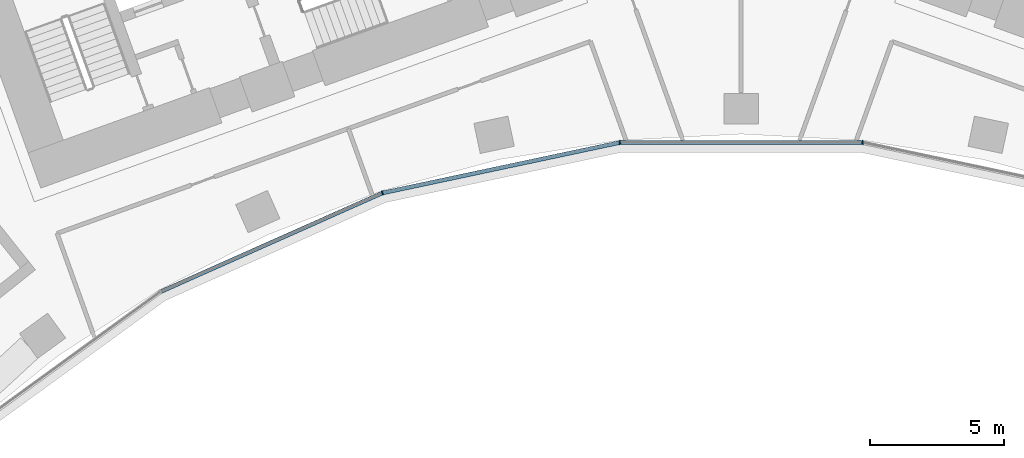
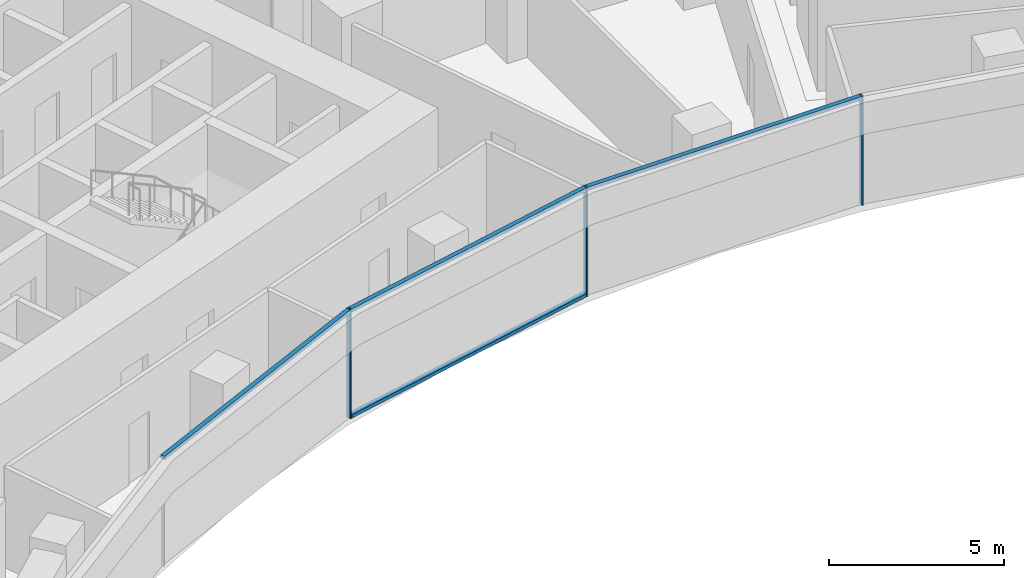
# One storey, part 4 of 22: 7 members, 1 element without a shape of its own.
"""IFC4 building model written with IfcOpenShell, lengths in metres."""

import ifcopenshell
import ifcopenshell.guid

model = None  # the IFC model being written
_history = None  # IfcOwnerHistory: only IFC2X3 demands one
_inside = {}  # id of a spatial element -> (the spatial element, [elements in it])
_under = {}  # id of a project, library or spatial element -> (it, [spatial elements below it])
_declared = {}  # id of a project -> (the project, [libraries it declares])
_typed = {}  # id of a type object -> (the type object, [elements of that type])
_made_of = {}  # id of a material, layer set ... -> (it, [elements and type objects made of it])


def new_model(schema):
    """Start an empty IFC model of exactly this schema.

    Asked for "IFC4X3", IfcOpenShell would pick the latest addendum, in which some entities
    have other attributes; the version numbers below select the first issue.
    IFC2X3 requires an IfcOwnerHistory on every rooted entity: one is made here for all.
    """
    global model, _history
    if schema == "IFC4X3":
        model = ifcopenshell.file(schema_version=(4, 3, 0, 0))
    else:
        model = ifcopenshell.file(schema=schema)
    _inside.clear()
    _under.clear()
    _declared.clear()
    _typed.clear()
    _made_of.clear()
    _history = None
    if model.schema == "IFC2X3":
        org = make("IfcOrganization", Name="unknown")
        user = make(
            "IfcPersonAndOrganization",
            ThePerson=make("IfcPerson", FamilyName="unknown"),
            TheOrganization=org,
        )
        app = make(
            "IfcApplication",
            ApplicationDeveloper=org,
            Version="unknown",
            ApplicationFullName="unknown",
            ApplicationIdentifier="unknown",
        )
        _history = make(
            "IfcOwnerHistory",
            OwningUser=user,
            OwningApplication=app,
            ChangeAction="ADDED",
            CreationDate=0,
        )
    return model


def make(cls, **values):
    """One entity of the class cls with the attributes given. An attribute that is None is left unset."""
    return model.create_entity(
        cls, **{name: value for name, value in values.items() if value is not None}
    )


def rooted(cls, **values):
    """An entity with a GlobalId (a new one), such as an element, a storey or a relation."""
    return make(cls, GlobalId=ifcopenshell.guid.new(), OwnerHistory=_history, **values)


def si_unit(unit_type, name, prefix=None):
    """IfcSIUnit, for example si_unit("LENGTHUNIT", "METRE", prefix="MILLI")."""
    return make("IfcSIUnit", UnitType=unit_type, Prefix=prefix, Name=name)


def assignment(units):
    """IfcUnitAssignment: the units of a project."""
    return None if units is None else make("IfcUnitAssignment", Units=units)


def point(xyz):
    """IfcCartesianPoint."""
    return None if xyz is None else make("IfcCartesianPoint", Coordinates=xyz)


def direction(xyz):
    """IfcDirection."""
    return None if xyz is None else make("IfcDirection", DirectionRatios=xyz)


def frame(location, z_axis=None, x_axis=None):
    """IfcAxis2Placement3D, a coordinate frame: its origin and axes. An axis left out is left unset."""
    return make(
        "IfcAxis2Placement3D",
        Location=point(location),
        Axis=direction(z_axis),
        RefDirection=direction(x_axis),
    )


def frame_2d(location, x_axis=None):
    """IfcAxis2Placement2D, a coordinate frame in the plane: its origin and x axis."""
    return make(
        "IfcAxis2Placement2D", Location=point(location), RefDirection=direction(x_axis)
    )


def origin():
    """The frame at (0, 0, 0) with its axes left unset."""
    return frame((0.0, 0.0, 0.0))


def origin_2d():
    """The frame at (0, 0) in the plane with its x axis left unset."""
    return frame_2d((0.0, 0.0))


def place(relative_to, where):
    """IfcLocalPlacement: puts the frame where relative to a parent placement (None: the world)."""
    return make(
        "IfcLocalPlacement", PlacementRelTo=relative_to, RelativePlacement=where
    )


def context(
    kind, dimensions, precision=None, world=None, true_north=None, identifier=None
):
    """IfcGeometricRepresentationContext, for example the 3D "Model" context."""
    return make(
        "IfcGeometricRepresentationContext",
        ContextIdentifier=identifier,
        ContextType=kind,
        CoordinateSpaceDimension=dimensions,
        Precision=precision,
        WorldCoordinateSystem=world,
        TrueNorth=true_north,
    )


def subcontext(parent, identifier, kind, view, scale=None):
    """IfcGeometricRepresentationSubContext, for example "Body" below "Model"."""
    return make(
        "IfcGeometricRepresentationSubContext",
        ContextIdentifier=identifier,
        ContextType=kind,
        ParentContext=parent,
        TargetScale=scale,
        TargetView=view,
    )


def project(units=None, contexts=None):
    """IfcProject with its units and contexts."""
    return rooted(
        "IfcProject",
        Name="project",
        RepresentationContexts=contexts,
        UnitsInContext=assignment(units),
    )


def spatial(cls, under=None, at=None, **own):
    """A site, building, storey or space (cls), placed at a placement, below another one or the project."""
    s = rooted(cls, ObjectPlacement=at, **own)
    if under is not None:
        _under.setdefault(under.id(), (under, []))[1].append(s)
    return s


def profile(cls, at=None, kind="AREA", **sizes):
    """A parametric profile (cls). Its sizes go by their IFC names, for example OverallWidth=200.0."""
    return make(cls, ProfileType=kind, Position=at, **sizes)


def rectangle(**sizes):
    """IfcRectangleProfileDef."""
    return profile("IfcRectangleProfileDef", **sizes)


def extrude(swept, where, along, depth):
    """IfcExtrudedAreaSolid: the profile swept, set in the frame where, extruded along a direction by depth."""
    return make(
        "IfcExtrudedAreaSolid",
        SweptArea=swept,
        Position=where,
        ExtrudedDirection=direction(along),
        Depth=depth,
    )


def shape(context_of_items, identifier, shape_type, items):
    """IfcShapeRepresentation: the items that make up one representation, for example the "Body"."""
    return make(
        "IfcShapeRepresentation",
        ContextOfItems=context_of_items,
        RepresentationIdentifier=identifier,
        RepresentationType=shape_type,
        Items=items,
    )


def material(Name=None, Category=None):
    """IfcMaterial."""
    return make("IfcMaterial", Name=Name, Category=Category)


def layer(
    of_material, thickness, ventilated=None, Name=None, Category=None, Priority=None
):
    """IfcMaterialLayer: one layer of a wall or slab, of a material (None: an air gap)."""
    return make(
        "IfcMaterialLayer",
        Material=of_material,
        LayerThickness=thickness,
        IsVentilated=ventilated,
        Name=Name,
        Category=Category,
        Priority=Priority,
    )


def layer_set(layers, Name=None):
    """IfcMaterialLayerSet."""
    return make("IfcMaterialLayerSet", MaterialLayers=layers, LayerSetName=Name)


def material_profile(
    of_material, cross_section, Name=None, Category=None, Priority=None
):
    """IfcMaterialProfile: a cross section and its material."""
    return make(
        "IfcMaterialProfile",
        Name=Name,
        Material=of_material,
        Profile=cross_section,
        Priority=Priority,
        Category=Category,
    )


def profile_set(profiles, Name=None, composite=None):
    """IfcMaterialProfileSet."""
    return make(
        "IfcMaterialProfileSet",
        Name=Name,
        MaterialProfiles=profiles,
        CompositeProfile=composite,
    )


def made_of(thing, what):
    """Note that an element or type object is made of a material, layer set ...; save() writes the relation."""
    if what is not None:
        _made_of.setdefault(what.id(), (what, []))[1].append(thing)
    return thing


def type_object(cls, material=None, **own):
    """A type object (cls), such as IfcWallType, which elements share."""
    return made_of(rooted(cls, **own), material)


def element(
    cls,
    number,
    at=None,
    inside=None,
    cuts=None,
    type_object=None,
    material=None,
    context=None,
    identifier="Body",
    shape_type=None,
    held_by="IfcProductDefinitionShape",
    body=None,
    shapes=None,
    **own,
):
    """One element of the class cls, such as IfcWall. Its Tag is "e" and its number.

    at: its placement. inside: the storey or other place that contains it. cuts: it is an
    opening in that element (IfcRelVoidsElement). A single representation is given by context,
    identifier, shape_type and body (its items); several are given by shapes. held_by: the class
    of the entity that holds the representations. save() writes the other relations.
    """
    e = rooted(cls, Tag="e%d" % number, ObjectPlacement=at, **own)
    if body is not None:
        shapes = [shape(context, identifier, shape_type, body)]
    if shapes is not None:
        e.Representation = make(held_by, Representations=shapes)
    if inside is not None:
        _inside.setdefault(inside.id(), (inside, []))[1].append(e)
    if cuts is not None:
        rooted(
            "IfcRelVoidsElement", RelatingBuildingElement=cuts, RelatedOpeningElement=e
        )
    if type_object is not None:
        _typed.setdefault(type_object.id(), (type_object, []))[1].append(e)
    return made_of(e, material)


def aggregate(whole, parts):
    """IfcRelAggregates: a whole, such as a stair, and the parts it consists of."""
    return rooted("IfcRelAggregates", RelatingObject=whole, RelatedObjects=parts)


def save(model, path):
    """Write the relations noted so far, then the file.

    IfcRelAggregates (storeys below a building ...), IfcRelContainedInSpatialStructure (elements
    in a storey), IfcRelDefinesByType, IfcRelAssociatesMaterial and IfcRelDeclares: one each for
    every whole, place, type object, material and project.
    """
    for whole, parts in _under.values():
        aggregate(whole, parts)
    for where, things in _inside.values():
        rooted(
            "IfcRelContainedInSpatialStructure",
            RelatedElements=things,
            RelatingStructure=where,
        )
    for kind, things in _typed.values():
        rooted("IfcRelDefinesByType", RelatedObjects=things, RelatingType=kind)
    for what, things in _made_of.values():
        rooted("IfcRelAssociatesMaterial", RelatedObjects=things, RelatingMaterial=what)
    for by, libraries in _declared.values():
        rooted("IfcRelDeclares", RelatingContext=by, RelatedDefinitions=libraries)
    model.write(path)


model = new_model("IFC4")

# Units and contexts
model_context = context("Model", 3, precision=1e-05, world=origin(), true_north=direction((0.0, 1.0)))
body_context = subcontext(model_context, "Body", "Model", "MODEL_VIEW")
ifc_project = project(units=[si_unit("LENGTHUNIT", "METRE"), si_unit("AREAUNIT", "SQUARE_METRE"), si_unit("VOLUMEUNIT", "CUBIC_METRE"), si_unit("PLANEANGLEUNIT", "RADIAN"), si_unit("MASSUNIT", "GRAM", prefix="KILO")], contexts=[model_context])

# Site, building, storey
site_placement = place(None, origin())
site = spatial("IfcSite", under=ifc_project, at=site_placement, CompositionType="ELEMENT")
building_placement = place(site_placement, origin())
building = spatial("IfcBuilding", under=site, at=building_placement, Name="Stone Belt Terrace Tower", CompositionType="ELEMENT")
storey_placement = place(building_placement, frame((0.0, 0.0, 109.800048828125)))
storey = spatial("IfcBuildingStorey", under=building, at=storey_placement, Name="L26", CompositionType="ELEMENT", Elevation=109.800048828125)

# Curtain wall, members
ifc_material = material(Name="Aluminium 6063-T6 anodised frame", Category="aluminium")
ifc_layer = layer(ifc_material, 0.14990234375)
ifc_layer_set = layer_set([ifc_layer], Name="CW-B unitised concave-face curtain wall")
curtain_wall_type = type_object("IfcCurtainWallType", Name="CW-B unitised concave-face curtain wall", PredefinedType="NOTDEFINED", material=ifc_layer_set)
curtain_wall_placement = place(storey_placement, origin())
curtain_wall = element("IfcCurtainWall", 1, at=curtain_wall_placement, inside=storey, type_object=curtain_wall_type, Name="CW-B concave face L26", PredefinedType="NOTDEFINED")
ifc_material_profile_1 = material_profile(ifc_material, rectangle(XDim=0.14990234375, YDim=0.050048828125, at=origin_2d()), Name="Aluminium 6063-T6 50x150")
ifc_profile_set_1 = profile_set([ifc_material_profile_1], Name="Aluminium 6063-T6 anodised frame")
member_type_1 = type_object("IfcMemberType", Name="CW-B mullion 50 x 150", PredefinedType="MULLION", material=ifc_profile_set_1)
member_1_placement = place(storey_placement, frame((-13.4189453125, 41.29931640625, 0.0), z_axis=(0.0, 0.0, 1.0), x_axis=(-0.309016994375, 0.951056516295, 0.0)))
member_1 = element("IfcMember", 2, at=member_1_placement, type_object=member_type_1, Name="CW-B mullion 4", PredefinedType="MULLION", context=body_context, shape_type="SweptSolid", body=[
    extrude(rectangle(XDim=0.14990234375, YDim=0.050048828125, at=origin_2d()), origin(), (0.0, 0.0, 1.0), 3.800048828125),
])
member_2_placement = place(storey_placement, frame((-4.5390625, 43.186767578125, 0.0), z_axis=(0.0, 0.0, 1.0), x_axis=(-0.104528463268, 0.994521895368, 0.0)))
member_2 = element("IfcMember", 3, at=member_2_placement, type_object=member_type_1, Name="CW-B mullion 5", PredefinedType="MULLION", context=body_context, shape_type="SweptSolid", body=[
    extrude(rectangle(XDim=0.14990234375, YDim=0.050048828125, at=origin_2d()), origin(), (0.0, 0.0, 1.0), 3.800048828125),
])
member_3_placement = place(storey_placement, frame((4.5390625, 43.186767578125, 0.0), z_axis=(0.0, 0.0, 1.0), x_axis=(0.104528463268, 0.994521895368, 0.0)))
member_3 = element("IfcMember", 4, at=member_3_placement, type_object=member_type_1, Name="CW-B mullion 6", PredefinedType="MULLION", context=body_context, shape_type="SweptSolid", body=[
    extrude(rectangle(XDim=0.14990234375, YDim=0.050048828125, at=origin_2d()), origin(), (0.0, 0.0, 1.0), 3.800048828125),
])
ifc_material_profile_2 = material_profile(ifc_material, rectangle(XDim=0.14990234375, YDim=0.1201171875, at=origin_2d()), Name="Aluminium 6063-T6 150x120")
ifc_profile_set_2 = profile_set([ifc_material_profile_2], Name="Aluminium 6063-T6 anodised frame")
member_type_2 = type_object("IfcMemberType", Name="CW-B transom 120 x 150", PredefinedType="USERDEFINED", material=ifc_profile_set_2)
member_4_placement = place(storey_placement, frame((-21.682373046875, 37.6201171875, 3.739990234375), z_axis=(0.913548853737, 0.406729015237, 0.0), x_axis=(-0.406729015237, 0.913548853737, 0.0)))
member_4 = element("IfcMember", 5, at=member_4_placement, type_object=member_type_2, Name="CW-B transom 3.1", ObjectType="TRANSOM", PredefinedType="USERDEFINED", context=body_context, shape_type="SweptSolid", body=[
    extrude(rectangle(XDim=0.14990234375, YDim=0.1201171875, at=origin_2d()), origin(), (0.0, 0.0, 1.0), 9.0126953125),
])
member_5_placement = place(storey_placement, frame((-13.386962890625, 41.30615234375, 0.06005859375), z_axis=(0.9781499003, 0.207900871914, 0.0), x_axis=(-0.207900871914, 0.9781499003, 0.0)))
member_5 = element("IfcMember", 6, at=member_5_placement, type_object=member_type_2, Name="CW-B transom 4.1", ObjectType="TRANSOM", PredefinedType="USERDEFINED", context=body_context, shape_type="SweptSolid", body=[
    extrude(rectangle(XDim=0.14990234375, YDim=0.1201171875, at=origin_2d()), origin(), (0.0, 0.0, 1.0), 9.012939453125),
])
member_6_placement = place(storey_placement, frame((-13.386962890625, 41.30615234375, 3.739990234375), z_axis=(0.9781499003, 0.207900871914, 0.0), x_axis=(-0.207900871914, 0.9781499003, 0.0)))
member_6 = element("IfcMember", 7, at=member_6_placement, type_object=member_type_2, Name="CW-B transom 4.2", ObjectType="TRANSOM", PredefinedType="USERDEFINED", context=body_context, shape_type="SweptSolid", body=[
    extrude(rectangle(XDim=0.14990234375, YDim=0.1201171875, at=origin_2d()), origin(), (0.0, 0.0, 1.0), 9.012939453125),
])
member_7_placement = place(storey_placement, frame((-4.50634765625, 43.186767578125, 3.739990234375), z_axis=(1.0, 0.0, 0.0), x_axis=(0.0, 1.0, 0.0)))
member_7 = element("IfcMember", 8, at=member_7_placement, type_object=member_type_2, Name="CW-B transom 5.1", ObjectType="TRANSOM", PredefinedType="USERDEFINED", context=body_context, shape_type="SweptSolid", body=[
    extrude(rectangle(XDim=0.14990234375, YDim=0.1201171875, at=origin_2d()), origin(), (0.0, 0.0, 1.0), 9.0126953125),
])
aggregate(curtain_wall, [member_1, member_2, member_3, member_4, member_5, member_6, member_7])

save(model, "model.ifc")
